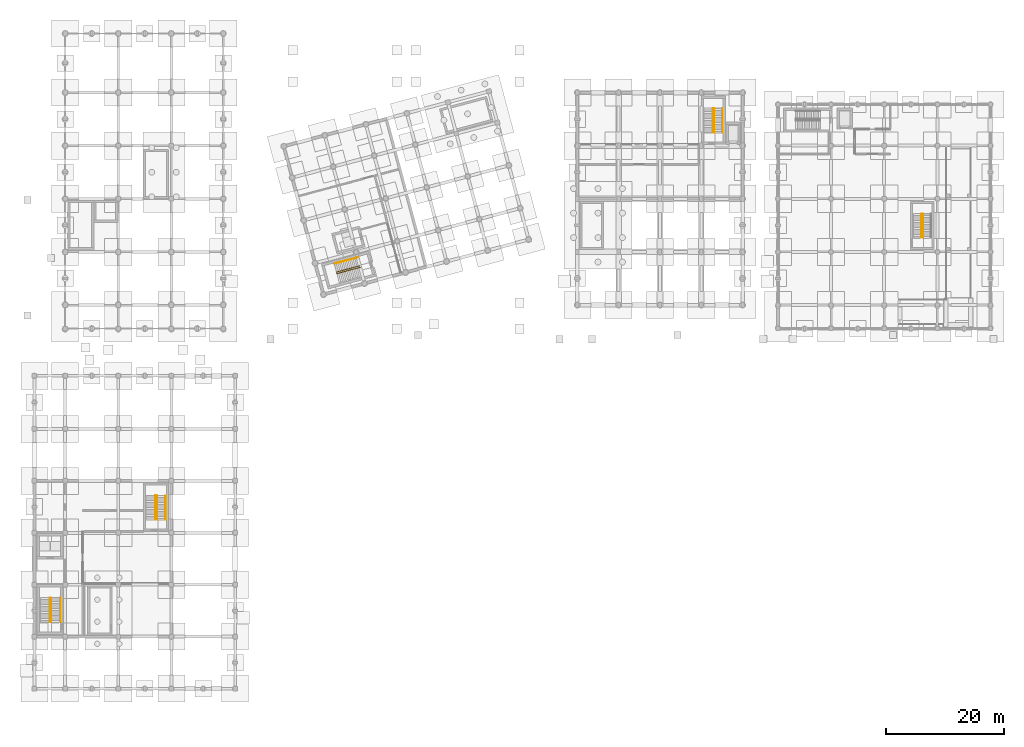
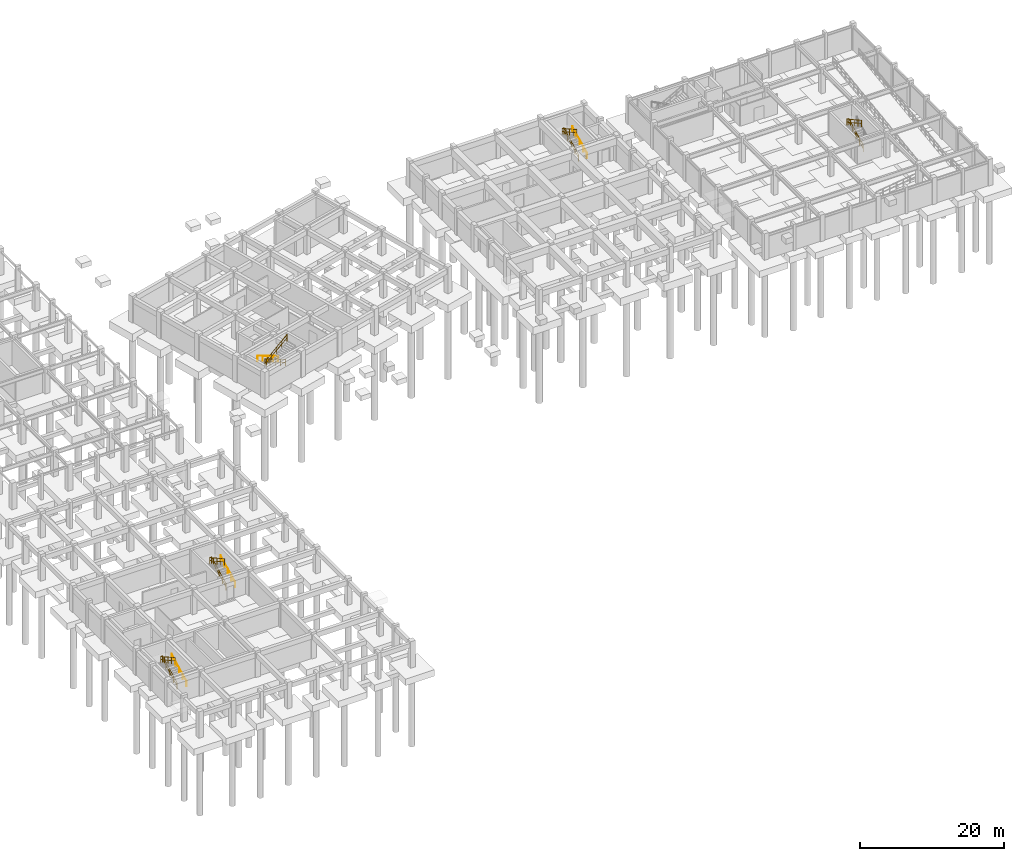
# One storey, part 17 of 20: 9 railings.
"""IFC4 building model written with IfcOpenShell, lengths in metres."""

from ifc_helpers import new_model, si_unit, direction, frame, origin, origin_2d, place, context, subcontext, project, spatial, circle, extrude, material, type_object, element, save


model = new_model("IFC4")

# Units and contexts
model_context = context("Model", 3, precision=1e-05, world=origin(), true_north=direction((0.0, 1.0)))
body_context = subcontext(model_context, "Body", "Model", "MODEL_VIEW")
ifc_project = project(units=[si_unit("LENGTHUNIT", "METRE"), si_unit("AREAUNIT", "SQUARE_METRE"), si_unit("VOLUMEUNIT", "CUBIC_METRE"), si_unit("PLANEANGLEUNIT", "RADIAN"), si_unit("MASSUNIT", "GRAM", prefix="KILO")], contexts=[model_context])

# Site, building, storey
site_placement = place(None, origin())
site = spatial("IfcSite", under=ifc_project, at=site_placement, CompositionType="ELEMENT")
building_placement = place(site_placement, origin())
building = spatial("IfcBuilding", under=site, at=building_placement, Name="Ventoquebrada Cableway Terminal", CompositionType="ELEMENT")
storey_placement = place(building_placement, frame((0.0, 0.0, -4.5)))
storey = spatial("IfcBuildingStorey", under=building, at=storey_placement, Name="B1", CompositionType="ELEMENT", Elevation=-4.5)

# Railings
ifc_material = material(Name="Brushed stainless steel Grade 316", Category="steel")
railing_type_1 = type_object("IfcRailingType", Name="RL-GD01", PredefinedType="GUARDRAIL", material=ifc_material)
railing_1_placement = place(storey_placement, frame((5.860107421875, 14.300048828125, 0.14990234375)))
element("IfcRailing", 1, at=railing_1_placement, inside=storey, type_object=railing_type_1, Name="Stair well guardrail GR-S01", PredefinedType="GUARDRAIL", context=body_context, shape_type="SweptSolid", body=[
    extrude(circle(Radius=0.02392578125, at=origin_2d()), frame((0.0, 0.001708984375, 1.096923828125), z_axis=(0.0, 0.887748051797, 0.460329660712), x_axis=(-1.0, 0.0, 0.0)), (0.0, 0.0, 1.0), 4.55810546875),
    extrude(circle(Radius=0.01611328125, at=origin_2d()), frame((0.0, 0.001708984375, 0.56103515625), z_axis=(0.0, 0.887748051797, 0.460329660712), x_axis=(-1.0, 0.0, 0.0)), (0.0, 0.0, 1.0), 4.55810546875),
    extrude(circle(Radius=0.02392578125, at=origin_2d()), frame((-0.001953125, 4.050048828125, 3.1962890625), z_axis=(-1.0, 0.0, 0.0), x_axis=(0.0, -1.0, 0.0)), (0.0, 0.0, 1.0), 0.276123046875),
    extrude(circle(Radius=0.01611328125, at=origin_2d()), frame((-0.001953125, 4.050048828125, 2.66015625), z_axis=(-1.0, 0.0, 0.0), x_axis=(0.0, -1.0, 0.0)), (0.0, 0.0, 1.0), 0.276123046875),
    extrude(circle(Radius=0.02392578125, at=origin_2d()), frame((-0.280029296875, 4.04833984375, 3.197021484375), z_axis=(0.0, -0.87415976173, 0.485638457056), x_axis=(1.0, 0.0, 0.0)), (0.0, 0.0, 1.0), 4.629150390625),
    extrude(circle(Radius=0.01611328125, at=origin_2d()), frame((-0.280029296875, 4.04833984375, 2.6611328125), z_axis=(0.0, -0.87415976173, 0.485638457056), x_axis=(1.0, 0.0, 0.0)), (0.0, 0.0, 1.0), 4.629150390625),
    extrude(circle(Radius=0.02099609375, at=origin_2d()), origin(), (0.0, 0.0, 1.0), 1.072021484375),
    extrude(circle(Radius=0.02099609375, at=origin_2d()), frame((0.0, 1.012451171875, 0.52490234375)), (0.0, 0.0, 1.0), 1.072021484375),
    extrude(circle(Radius=0.02099609375, at=origin_2d()), frame((0.0, 2.02490234375, 1.050048828125)), (0.0, 0.0, 1.0), 1.072021484375),
    extrude(circle(Radius=0.02099609375, at=origin_2d()), frame((0.0, 3.03759765625, 1.5751953125)), (0.0, 0.0, 1.0), 1.072021484375),
    extrude(circle(Radius=0.02099609375, at=origin_2d()), frame((0.0, 4.050048828125, 2.10009765625)), (0.0, 0.0, 1.0), 1.072021484375),
    extrude(circle(Radius=0.02099609375, at=origin_2d()), frame((-0.280029296875, 4.050048828125, 2.10009765625)), (0.0, 0.0, 1.0), 1.072021484375),
    extrude(circle(Radius=0.02099609375, at=origin_2d()), frame((-0.280029296875, 3.03759765625, 2.66259765625)), (0.0, 0.0, 1.0), 1.072021484375),
    extrude(circle(Radius=0.02099609375, at=origin_2d()), frame((-0.280029296875, 2.02490234375, 3.22509765625)), (0.0, 0.0, 1.0), 1.072021484375),
    extrude(circle(Radius=0.02099609375, at=origin_2d()), frame((-0.280029296875, 1.012451171875, 3.78759765625)), (0.0, 0.0, 1.0), 1.072021484375),
    extrude(circle(Radius=0.02099609375, at=origin_2d()), frame((-0.280029296875, 0.0, 4.35009765625)), (0.0, 0.0, 1.0), 1.072021484375),
])
railing_2_placement = place(storey_placement, frame((23.760009765625, 31.64990234375, 0.14990234375)))
element("IfcRailing", 2, at=railing_2_placement, inside=storey, type_object=railing_type_1, Name="Stair well guardrail GR-S02", PredefinedType="GUARDRAIL", context=body_context, shape_type="SweptSolid", body=[
    extrude(circle(Radius=0.02392578125, at=origin_2d()), frame((0.0, 0.001708984375, 1.096923828125), z_axis=(0.0, 0.887748051797, 0.460329660712), x_axis=(-1.0, 0.0, 0.0)), (0.0, 0.0, 1.0), 4.55810546875),
    extrude(circle(Radius=0.01611328125, at=origin_2d()), frame((0.0, 0.001708984375, 0.56103515625), z_axis=(0.0, 0.887748051797, 0.460329660712), x_axis=(-1.0, 0.0, 0.0)), (0.0, 0.0, 1.0), 4.55810546875),
    extrude(circle(Radius=0.02392578125, at=origin_2d()), frame((-0.001953125, 4.050048828125, 3.1962890625), z_axis=(-1.0, 0.0, 0.0), x_axis=(0.0, -1.0, 0.0)), (0.0, 0.0, 1.0), 0.276123046875),
    extrude(circle(Radius=0.01611328125, at=origin_2d()), frame((-0.001953125, 4.050048828125, 2.66015625), z_axis=(-1.0, 0.0, 0.0), x_axis=(0.0, -1.0, 0.0)), (0.0, 0.0, 1.0), 0.276123046875),
    extrude(circle(Radius=0.02392578125, at=origin_2d()), frame((-0.280029296875, 4.04833984375, 3.197021484375), z_axis=(0.0, -0.87415976173, 0.485638457056), x_axis=(1.0, 0.0, 0.0)), (0.0, 0.0, 1.0), 4.629150390625),
    extrude(circle(Radius=0.01611328125, at=origin_2d()), frame((-0.280029296875, 4.04833984375, 2.6611328125), z_axis=(0.0, -0.87415976173, 0.485638457056), x_axis=(1.0, 0.0, 0.0)), (0.0, 0.0, 1.0), 4.629150390625),
    extrude(circle(Radius=0.02099609375, at=origin_2d()), origin(), (0.0, 0.0, 1.0), 1.072021484375),
    extrude(circle(Radius=0.02099609375, at=origin_2d()), frame((0.0, 1.012451171875, 0.52490234375)), (0.0, 0.0, 1.0), 1.072021484375),
    extrude(circle(Radius=0.02099609375, at=origin_2d()), frame((0.0, 2.02490234375, 1.050048828125)), (0.0, 0.0, 1.0), 1.072021484375),
    extrude(circle(Radius=0.02099609375, at=origin_2d()), frame((0.0, 3.03759765625, 1.5751953125)), (0.0, 0.0, 1.0), 1.072021484375),
    extrude(circle(Radius=0.02099609375, at=origin_2d()), frame((0.0, 4.050048828125, 2.10009765625)), (0.0, 0.0, 1.0), 1.072021484375),
    extrude(circle(Radius=0.02099609375, at=origin_2d()), frame((-0.280029296875, 4.050048828125, 2.10009765625)), (0.0, 0.0, 1.0), 1.072021484375),
    extrude(circle(Radius=0.02099609375, at=origin_2d()), frame((-0.280029296875, 3.03759765625, 2.66259765625)), (0.0, 0.0, 1.0), 1.072021484375),
    extrude(circle(Radius=0.02099609375, at=origin_2d()), frame((-0.280029296875, 2.02490234375, 3.22509765625)), (0.0, 0.0, 1.0), 1.072021484375),
    extrude(circle(Radius=0.02099609375, at=origin_2d()), frame((-0.280029296875, 1.012451171875, 3.78759765625)), (0.0, 0.0, 1.0), 1.072021484375),
    extrude(circle(Radius=0.02099609375, at=origin_2d()), frame((-0.280029296875, 0.0, 4.35009765625)), (0.0, 0.0, 1.0), 1.072021484375),
])
railing_3_placement = place(storey_placement, frame((58.1279296875, 74.652099609375, 0.14990234375)))
element("IfcRailing", 3, at=railing_3_placement, inside=storey, type_object=railing_type_1, Name="Stair well guardrail GR-S20", PredefinedType="GUARDRAIL", context=body_context, shape_type="SweptSolid", body=[
    extrude(circle(Radius=0.02392578125, at=origin_2d()), frame((-0.001708984375, -0.00048828125, 1.096923828125), z_axis=(-0.85745183895, -0.229948858015, 0.46032582654), x_axis=(0.259024328548, -0.965870797374, 0.0)), (0.0, 0.0, 1.0), 4.55810546875),
    extrude(circle(Radius=0.01611328125, at=origin_2d()), frame((-0.001708984375, -0.00048828125, 0.56103515625), z_axis=(-0.85745183895, -0.229948858015, 0.46032582654), x_axis=(0.259024328548, -0.965870797374, 0.0)), (0.0, 0.0, 1.0), 4.55810546875),
    extrude(circle(Radius=0.02392578125, at=origin_2d()), frame((-3.911376953125, -1.051025390625, 3.1962890625), z_axis=(0.257717024656, -0.966220438204, 0.0), x_axis=(0.966220438204, 0.257717024656, 0.0)), (0.0, 0.0, 1.0), 0.275390625),
    extrude(circle(Radius=0.01611328125, at=origin_2d()), frame((-3.911376953125, -1.051025390625, 2.66015625), z_axis=(0.257717024656, -0.966220438204, 0.0), x_axis=(0.966220438204, 0.257717024656, 0.0)), (0.0, 0.0, 1.0), 0.275390625),
    extrude(circle(Radius=0.02392578125, at=origin_2d()), frame((-3.838134765625, -1.318603515625, 3.197021484375), z_axis=(0.844367771553, 0.226229223196, 0.485657703466), x_axis=(-0.258799364073, 0.96593109959, 0.0)), (0.0, 0.0, 1.0), 4.62890625),
    extrude(circle(Radius=0.01611328125, at=origin_2d()), frame((-3.838134765625, -1.318603515625, 2.6611328125), z_axis=(0.844367771553, 0.226229223196, 0.485657703466), x_axis=(-0.258799364073, 0.96593109959, 0.0)), (0.0, 0.0, 1.0), 4.62890625),
    extrude(circle(Radius=0.02099609375, at=origin_2d()), origin(), (0.0, 0.0, 1.0), 1.072021484375),
    extrude(circle(Radius=0.02099609375, at=origin_2d()), frame((-0.97802734375, -0.26220703125, 0.52490234375)), (0.0, 0.0, 1.0), 1.072021484375),
    extrude(circle(Radius=0.02099609375, at=origin_2d()), frame((-1.9560546875, -0.5244140625, 1.050048828125)), (0.0, 0.0, 1.0), 1.072021484375),
    extrude(circle(Radius=0.02099609375, at=origin_2d()), frame((-2.933837890625, -0.786865234375, 1.5751953125)), (0.0, 0.0, 1.0), 1.072021484375),
    extrude(circle(Radius=0.02099609375, at=origin_2d()), frame((-3.911865234375, -1.049072265625, 2.10009765625)), (0.0, 0.0, 1.0), 1.072021484375),
    extrude(circle(Radius=0.02099609375, at=origin_2d()), frame((-3.83984375, -1.319091796875, 2.10009765625)), (0.0, 0.0, 1.0), 1.072021484375),
    extrude(circle(Radius=0.02099609375, at=origin_2d()), frame((-2.86181640625, -1.05712890625, 2.66259765625)), (0.0, 0.0, 1.0), 1.072021484375),
    extrude(circle(Radius=0.02099609375, at=origin_2d()), frame((-1.8837890625, -0.794921875, 3.22509765625)), (0.0, 0.0, 1.0), 1.072021484375),
    extrude(circle(Radius=0.02099609375, at=origin_2d()), frame((-0.906005859375, -0.532958984375, 3.78759765625)), (0.0, 0.0, 1.0), 1.072021484375),
    extrude(circle(Radius=0.02099609375, at=origin_2d()), frame((0.072021484375, -0.27099609375, 4.35009765625)), (0.0, 0.0, 1.0), 1.072021484375),
])
railing_4_placement = place(storey_placement, frame((118.2099609375, 97.25, 0.14990234375)))
element("IfcRailing", 4, at=railing_4_placement, inside=storey, type_object=railing_type_1, Name="Stair well guardrail GR-S21", PredefinedType="GUARDRAIL", context=body_context, shape_type="SweptSolid", body=[
    extrude(circle(Radius=0.02392578125, at=origin_2d()), frame((0.0, 0.001708984375, 1.096923828125), z_axis=(0.0, 0.887748051797, 0.460329660712), x_axis=(-1.0, 0.0, 0.0)), (0.0, 0.0, 1.0), 4.55810546875),
    extrude(circle(Radius=0.01611328125, at=origin_2d()), frame((0.0, 0.001708984375, 0.56103515625), z_axis=(0.0, 0.887748051797, 0.460329660712), x_axis=(-1.0, 0.0, 0.0)), (0.0, 0.0, 1.0), 4.55810546875),
    extrude(circle(Radius=0.02392578125, at=origin_2d()), frame((-0.001953125, 4.050048828125, 3.1962890625), z_axis=(-1.0, 0.0, 0.0), x_axis=(0.0, -1.0, 0.0)), (0.0, 0.0, 1.0), 0.276123046875),
    extrude(circle(Radius=0.01611328125, at=origin_2d()), frame((-0.001953125, 4.050048828125, 2.66015625), z_axis=(-1.0, 0.0, 0.0), x_axis=(0.0, -1.0, 0.0)), (0.0, 0.0, 1.0), 0.276123046875),
    extrude(circle(Radius=0.02392578125, at=origin_2d()), frame((-0.280029296875, 4.04833984375, 3.197021484375), z_axis=(0.0, -0.87415976173, 0.485638457056), x_axis=(1.0, 0.0, 0.0)), (0.0, 0.0, 1.0), 4.629150390625),
    extrude(circle(Radius=0.01611328125, at=origin_2d()), frame((-0.280029296875, 4.04833984375, 2.6611328125), z_axis=(0.0, -0.87415976173, 0.485638457056), x_axis=(1.0, 0.0, 0.0)), (0.0, 0.0, 1.0), 4.629150390625),
    extrude(circle(Radius=0.02099609375, at=origin_2d()), origin(), (0.0, 0.0, 1.0), 1.072021484375),
    extrude(circle(Radius=0.02099609375, at=origin_2d()), frame((0.0, 1.012451171875, 0.52490234375)), (0.0, 0.0, 1.0), 1.072021484375),
    extrude(circle(Radius=0.02099609375, at=origin_2d()), frame((0.0, 2.02490234375, 1.050048828125)), (0.0, 0.0, 1.0), 1.072021484375),
    extrude(circle(Radius=0.02099609375, at=origin_2d()), frame((0.0, 3.03759765625, 1.5751953125)), (0.0, 0.0, 1.0), 1.072021484375),
    extrude(circle(Radius=0.02099609375, at=origin_2d()), frame((0.0, 4.050048828125, 2.10009765625)), (0.0, 0.0, 1.0), 1.072021484375),
    extrude(circle(Radius=0.02099609375, at=origin_2d()), frame((-0.280029296875, 4.050048828125, 2.10009765625)), (0.0, 0.0, 1.0), 1.072021484375),
    extrude(circle(Radius=0.02099609375, at=origin_2d()), frame((-0.280029296875, 3.03759765625, 2.66259765625)), (0.0, 0.0, 1.0), 1.072021484375),
    extrude(circle(Radius=0.02099609375, at=origin_2d()), frame((-0.280029296875, 2.02490234375, 3.22509765625)), (0.0, 0.0, 1.0), 1.072021484375),
    extrude(circle(Radius=0.02099609375, at=origin_2d()), frame((-0.280029296875, 1.012451171875, 3.78759765625)), (0.0, 0.0, 1.0), 1.072021484375),
    extrude(circle(Radius=0.02099609375, at=origin_2d()), frame((-0.280029296875, 0.0, 4.35009765625)), (0.0, 0.0, 1.0), 1.072021484375),
])
railing_5_placement = place(storey_placement, frame((153.610107421875, 79.39990234375, 0.14990234375)))
element("IfcRailing", 5, at=railing_5_placement, inside=storey, type_object=railing_type_1, Name="Stair well guardrail GR-S23", PredefinedType="GUARDRAIL", context=body_context, shape_type="SweptSolid", body=[
    extrude(circle(Radius=0.02392578125, at=origin_2d()), frame((0.0, 0.001708984375, 1.096923828125), z_axis=(0.0, 0.887748051797, 0.460329660712), x_axis=(-1.0, 0.0, 0.0)), (0.0, 0.0, 1.0), 4.55810546875),
    extrude(circle(Radius=0.01611328125, at=origin_2d()), frame((0.0, 0.001708984375, 0.56103515625), z_axis=(0.0, 0.887748051797, 0.460329660712), x_axis=(-1.0, 0.0, 0.0)), (0.0, 0.0, 1.0), 4.55810546875),
    extrude(circle(Radius=0.02392578125, at=origin_2d()), frame((-0.001953125, 4.050048828125, 3.1962890625), z_axis=(-1.0, 0.0, 0.0), x_axis=(0.0, -1.0, 0.0)), (0.0, 0.0, 1.0), 0.276123046875),
    extrude(circle(Radius=0.01611328125, at=origin_2d()), frame((-0.001953125, 4.050048828125, 2.66015625), z_axis=(-1.0, 0.0, 0.0), x_axis=(0.0, -1.0, 0.0)), (0.0, 0.0, 1.0), 0.276123046875),
    extrude(circle(Radius=0.02392578125, at=origin_2d()), frame((-0.280029296875, 4.04833984375, 3.197021484375), z_axis=(0.0, -0.87415976173, 0.485638457056), x_axis=(1.0, 0.0, 0.0)), (0.0, 0.0, 1.0), 4.629150390625),
    extrude(circle(Radius=0.01611328125, at=origin_2d()), frame((-0.280029296875, 4.04833984375, 2.6611328125), z_axis=(0.0, -0.87415976173, 0.485638457056), x_axis=(1.0, 0.0, 0.0)), (0.0, 0.0, 1.0), 4.629150390625),
    extrude(circle(Radius=0.02099609375, at=origin_2d()), origin(), (0.0, 0.0, 1.0), 1.072021484375),
    extrude(circle(Radius=0.02099609375, at=origin_2d()), frame((0.0, 1.012451171875, 0.52490234375)), (0.0, 0.0, 1.0), 1.072021484375),
    extrude(circle(Radius=0.02099609375, at=origin_2d()), frame((0.0, 2.02490234375, 1.050048828125)), (0.0, 0.0, 1.0), 1.072021484375),
    extrude(circle(Radius=0.02099609375, at=origin_2d()), frame((0.0, 3.03759765625, 1.5751953125)), (0.0, 0.0, 1.0), 1.072021484375),
    extrude(circle(Radius=0.02099609375, at=origin_2d()), frame((0.0, 4.050048828125, 2.10009765625)), (0.0, 0.0, 1.0), 1.072021484375),
    extrude(circle(Radius=0.02099609375, at=origin_2d()), frame((-0.280029296875, 4.050048828125, 2.10009765625)), (0.0, 0.0, 1.0), 1.072021484375),
    extrude(circle(Radius=0.02099609375, at=origin_2d()), frame((-0.280029296875, 3.03759765625, 2.66259765625)), (0.0, 0.0, 1.0), 1.072021484375),
    extrude(circle(Radius=0.02099609375, at=origin_2d()), frame((-0.280029296875, 2.02490234375, 3.22509765625)), (0.0, 0.0, 1.0), 1.072021484375),
    extrude(circle(Radius=0.02099609375, at=origin_2d()), frame((-0.280029296875, 1.012451171875, 3.78759765625)), (0.0, 0.0, 1.0), 1.072021484375),
    extrude(circle(Radius=0.02099609375, at=origin_2d()), frame((-0.280029296875, 0.0, 4.35009765625)), (0.0, 0.0, 1.0), 1.072021484375),
])
railing_type_2 = type_object("IfcRailingType", Name="RL-HR01", PredefinedType="HANDRAIL", material=ifc_material)
for number, where, name in (
    (6, (7.3701171875, 14.300048828125, 0.14990234375), "Stair wall handrail HR-S01"),
    (7, (25.219970703125, 31.64990234375, 0.14990234375), "Stair wall handrail HR-S02"),
):
    element("IfcRailing", number, at=place(storey_placement, frame(where)), inside=storey, type_object=railing_type_2, Name=name, PredefinedType="HANDRAIL", context=body_context, shape_type="SweptSolid", body=[
        extrude(circle(Radius=0.02392578125, at=origin_2d()), frame((0.0, 0.001708984375, 0.896728515625), z_axis=(0.0, 0.887748051797, 0.460329660712), x_axis=(-1.0, 0.0, 0.0)), (0.0, 0.0, 1.0), 4.55810546875),
        extrude(circle(Radius=0.02099609375, at=origin_2d()), origin(), (0.0, 0.0, 1.0), 0.871826171875),
        extrude(circle(Radius=0.02099609375, at=origin_2d()), frame((0.0, 1.012451171875, 0.52490234375)), (0.0, 0.0, 1.0), 0.871826171875),
        extrude(circle(Radius=0.02099609375, at=origin_2d()), frame((0.0, 2.02490234375, 1.050048828125)), (0.0, 0.0, 1.0), 0.871826171875),
        extrude(circle(Radius=0.02099609375, at=origin_2d()), frame((0.0, 3.03759765625, 1.5751953125)), (0.0, 0.0, 1.0), 0.871826171875),
        extrude(circle(Radius=0.02099609375, at=origin_2d()), frame((0.0, 4.050048828125, 2.10009765625)), (0.0, 0.0, 1.0), 0.871826171875),
    ])
railing_6_placement = place(storey_placement, frame((57.75, 76.06201171875, 0.14990234375)))
element("IfcRailing", 8, at=railing_6_placement, inside=storey, type_object=railing_type_2, Name="Stair wall handrail HR-S20", PredefinedType="HANDRAIL", context=body_context, shape_type="SweptSolid", body=[
    extrude(circle(Radius=0.02392578125, at=origin_2d()), frame((-0.001708984375, -0.00048828125, 0.896728515625), z_axis=(-0.857508192751, -0.229735563622, 0.460327351101), x_axis=(0.258784294974, -0.965935136888, 0.0)), (0.0, 0.0, 1.0), 4.55810546875),
    extrude(circle(Radius=0.02099609375, at=origin_2d()), origin(), (0.0, 0.0, 1.0), 0.871826171875),
    extrude(circle(Radius=0.02099609375, at=origin_2d()), frame((-0.97802734375, -0.261962890625, 0.52490234375)), (0.0, 0.0, 1.0), 0.871826171875),
    extrude(circle(Radius=0.02099609375, at=origin_2d()), frame((-1.9560546875, -0.52392578125, 1.050048828125)), (0.0, 0.0, 1.0), 0.871826171875),
    extrude(circle(Radius=0.02099609375, at=origin_2d()), frame((-2.93408203125, -0.7861328125, 1.5751953125)), (0.0, 0.0, 1.0), 0.871826171875),
    extrude(circle(Radius=0.02099609375, at=origin_2d()), frame((-3.912109375, -1.048095703125, 2.10009765625)), (0.0, 0.0, 1.0), 0.871826171875),
])
railing_7_placement = place(storey_placement, frame((119.570068359375, 97.25, 0.14990234375)))
element("IfcRailing", 9, at=railing_7_placement, inside=storey, type_object=railing_type_2, Name="Stair wall handrail HR-S21", PredefinedType="HANDRAIL", context=body_context, shape_type="SweptSolid", body=[
    extrude(circle(Radius=0.02392578125, at=origin_2d()), frame((0.0, 0.001708984375, 0.896728515625), z_axis=(0.0, 0.887748051797, 0.460329660712), x_axis=(-1.0, 0.0, 0.0)), (0.0, 0.0, 1.0), 4.55810546875),
    extrude(circle(Radius=0.02099609375, at=origin_2d()), origin(), (0.0, 0.0, 1.0), 0.871826171875),
    extrude(circle(Radius=0.02099609375, at=origin_2d()), frame((0.0, 1.012451171875, 0.52490234375)), (0.0, 0.0, 1.0), 0.871826171875),
    extrude(circle(Radius=0.02099609375, at=origin_2d()), frame((0.0, 2.02490234375, 1.050048828125)), (0.0, 0.0, 1.0), 0.871826171875),
    extrude(circle(Radius=0.02099609375, at=origin_2d()), frame((0.0, 3.03759765625, 1.5751953125)), (0.0, 0.0, 1.0), 0.871826171875),
    extrude(circle(Radius=0.02099609375, at=origin_2d()), frame((0.0, 4.050048828125, 2.10009765625)), (0.0, 0.0, 1.0), 0.871826171875),
])

save(model, "model.ifc")
